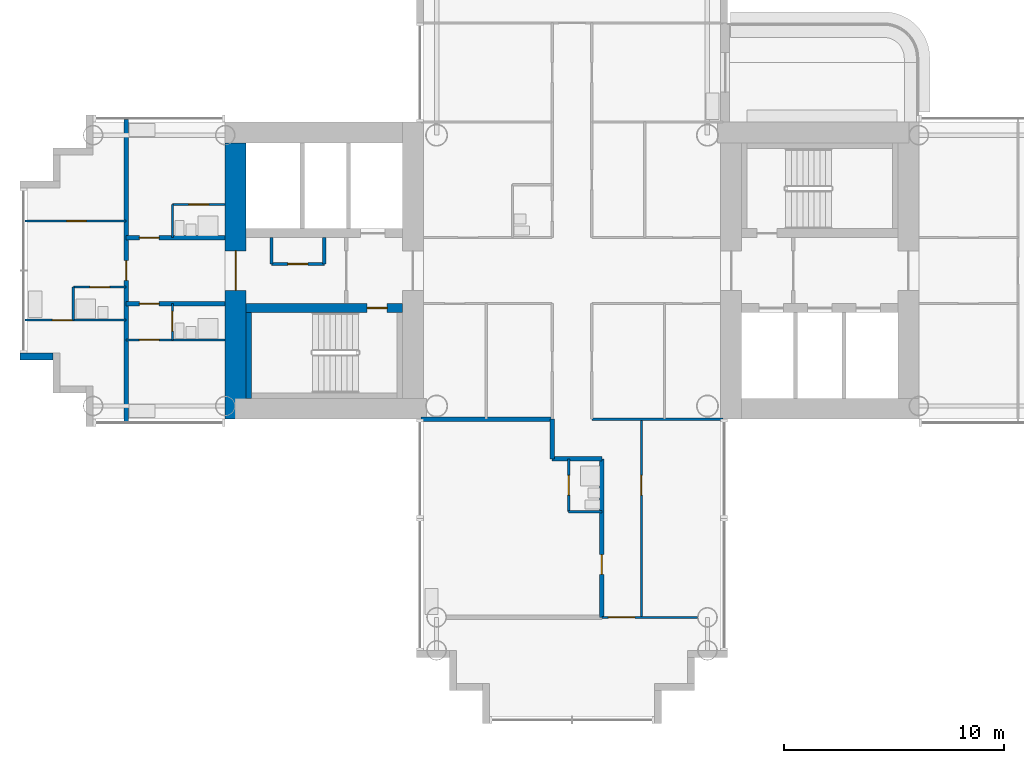
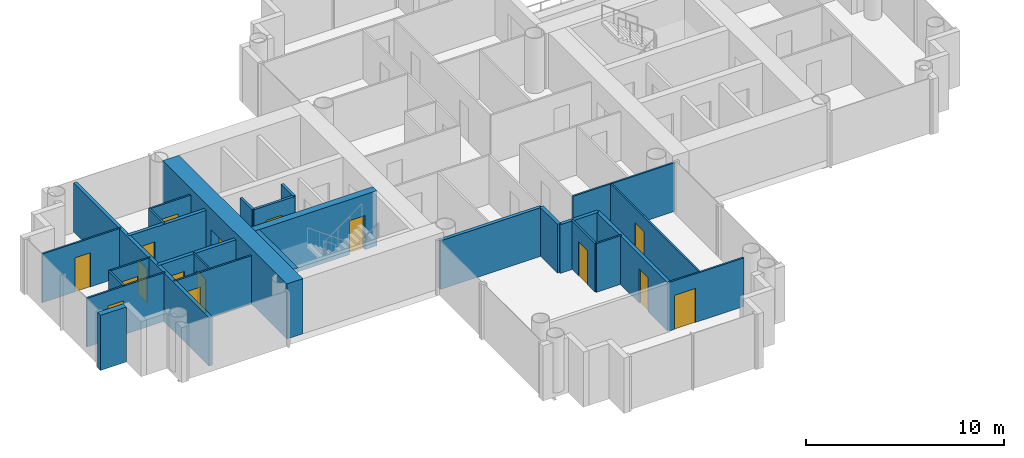
# One storey, part 9 of 21: 27 walls, 16 doors, 16 openings.
"""IFC4 building model written with IfcOpenShell, lengths in metres."""

from ifc_helpers import new_model, si_unit, direction, frame, frame_2d, origin, place, context, subcontext, project, spatial, rectangle, extrude, material, layer, layer_set, type_object, element, fill, save


model = new_model("IFC4")

# Units and contexts
model_context = context("Model", 3, precision=1e-05, world=origin(), true_north=direction((0.0, 1.0)))
body_context = subcontext(model_context, "Body", "Model", "MODEL_VIEW")
ifc_project = project(units=[si_unit("LENGTHUNIT", "METRE"), si_unit("AREAUNIT", "SQUARE_METRE"), si_unit("VOLUMEUNIT", "CUBIC_METRE"), si_unit("PLANEANGLEUNIT", "RADIAN"), si_unit("MASSUNIT", "GRAM", prefix="KILO")], contexts=[model_context])

# Site, building, storey
site_placement = place(None, origin())
site = spatial("IfcSite", under=ifc_project, at=site_placement, CompositionType="ELEMENT")
building_placement = place(site_placement, origin())
building = spatial("IfcBuilding", under=site, at=building_placement, Name="Ipe Terrace Towers", CompositionType="ELEMENT")
storey_placement = place(building_placement, frame((0.0, 0.0, 83.39990234375)))
storey = spatial("IfcBuildingStorey", under=building, at=storey_placement, Name="L22", CompositionType="ELEMENT", Elevation=83.39990234375)

# Walls
ifc_material_1 = material(Name="Concrete C40/50 with buff precast cladding", Category="concrete")
ifc_layer_1 = layer(ifc_material_1, 0.320068359375)
ifc_layer_set_1 = layer_set([ifc_layer_1], Name="BUFF CLADDING WALL 320")
wall_type_1 = type_object("IfcWallType", Name="BUFF CLADDING WALL 320", PredefinedType="STANDARD", material=ifc_layer_set_1)
wall_1_placement = place(storey_placement, frame((-61.070068359375, -3.909912109375, -0.2998046875), z_axis=(0.0, 0.0, 1.0), x_axis=(1.0, 0.0, 0.0)))
element("IfcWall", 1, at=wall_1_placement, inside=storey, type_object=wall_type_1, Name="T1-W-L22-00a wall", PredefinedType="STANDARD", context=body_context, shape_type="SweptSolid", body=[
    extrude(rectangle(XDim=1.5, YDim=0.320068359375, at=frame_2d((0.75, 0.0))), origin(), (0.0, 0.0, 1.0), 3.39990234375),
])
ifc_material_2 = material(Name="Gypsum board partition", Category="plasterboard")
ifc_layer_2 = layer(ifc_material_2, 0.10009765625)
ifc_layer_set_2 = layer_set([ifc_layer_2], Name="Gypsum board partition 100 mm")
wall_type_2 = type_object("IfcWallType", Name="Gypsum board partition 100 mm", PredefinedType="PARTITIONING", material=ifc_layer_set_2)
wall_2_placement = place(storey_placement, frame((-58.64990234375, -2.25, 0.0), z_axis=(0.0, 0.0, 1.0), x_axis=(0.0, 1.0, 0.0)))
element("IfcWall", 2, at=wall_2_placement, inside=storey, type_object=wall_type_2, Name="Gypsum board partition T1 L22 W01", PredefinedType="PARTITIONING", context=body_context, shape_type="SweptSolid", body=[
    extrude(rectangle(XDim=1.5, YDim=0.10009765625, at=frame_2d((0.75, 0.0))), origin(), (0.0, 0.0, 1.0), 3.0),
])

# Wall, opening, door
wall_3_placement = place(storey_placement, frame((-54.14990234375, -3.14990234375, 0.0), z_axis=(0.0, 0.0, 1.0), x_axis=(0.0, 1.0, 0.0)))
wall_3 = element("IfcWall", 3, at=wall_3_placement, inside=storey, type_object=wall_type_2, Name="Gypsum board partition T1 L22 W03", PredefinedType="PARTITIONING", context=body_context, shape_type="SweptSolid", body=[
    extrude(rectangle(XDim=1.64990234375, YDim=0.10009765625, at=frame_2d((0.824951171875, 0.0))), origin(), (0.0, 0.0, 1.0), 3.0),
])
opening_1_placement = place(wall_3_placement, frame((0.39990234375, 0.0, 0.0)))
opening_1 = element("IfcOpeningElement", 4, at=opening_1_placement, cuts=wall_3, Name="Opening T1-Z2B-21", PredefinedType="OPENING", context=body_context, shape_type="SweptSolid", body=[
    extrude(rectangle(XDim=0.89990234375, YDim=2.10009765625, at=frame_2d((0.449951171875, 1.050048828125))), frame((0.0, 0.06005859375, 0.0), z_axis=(0.0, -1.0, 0.0), x_axis=(1.0, 0.0, 0.0)), (0.0, 0.0, 1.0), 0.1201171875),
])
ifc_material_3 = material(Name="Timber door leaf", Category="wood")
door_type_1 = type_object("IfcDoorType", Name="Bathroom door 900 x 2100", OperationType="NOTDEFINED", PredefinedType="DOOR", material=ifc_material_3)
door_1_placement = place(opening_1_placement, origin())
door_1 = element("IfcDoor", 5, at=door_1_placement, inside=storey, type_object=door_type_1, Name="Bathroom door T1-Z2B-21", OperationType="SINGLE_SWING_RIGHT", OverallHeight=2.10009765625, OverallWidth=0.89990234375, PredefinedType="DOOR", context=body_context, shape_type="SweptSolid", body=[
    extrude(rectangle(XDim=0.89990234375, YDim=2.10009765625, at=frame_2d((0.449951171875, 1.050048828125))), frame((0.0, 0.02490234375, 0.0), z_axis=(0.0, -1.0, 0.0), x_axis=(1.0, 0.0, 0.0)), (0.0, 0.0, 1.0), 0.050048828125),
])
fill(opening_1, door_1)

# Wall
wall_4_placement = place(storey_placement, frame((-54.14990234375, 1.5, 0.0), z_axis=(0.0, 0.0, 1.0), x_axis=(0.0, 1.0, 0.0)))
element("IfcWall", 6, at=wall_4_placement, inside=storey, type_object=wall_type_2, Name="Gypsum board partition T1 L22 W04", PredefinedType="PARTITIONING", context=body_context, shape_type="SweptSolid", body=[
    extrude(rectangle(XDim=1.5, YDim=0.10009765625, at=frame_2d((0.75, 0.0))), origin(), (0.0, 0.0, 1.0), 3.0),
])

# Wall, opening, door
wall_5_placement = place(storey_placement, frame((-36.14990234375, -10.949951171875, 0.0), z_axis=(0.0, 0.0, 1.0), x_axis=(0.0, 1.0, 0.0)))
wall_5 = element("IfcWall", 7, at=wall_5_placement, inside=storey, type_object=wall_type_2, Name="Gypsum board partition T1 L22 W10", PredefinedType="PARTITIONING", context=body_context, shape_type="SweptSolid", body=[
    extrude(rectangle(XDim=2.39990234375, YDim=0.10009765625, at=frame_2d((1.199951171875, 0.0))), origin(), (0.0, 0.0, 1.0), 3.0),
])
opening_2_placement = place(wall_5_placement, frame((0.75, 0.0, 0.0)))
opening_2 = element("IfcOpeningElement", 8, at=opening_2_placement, cuts=wall_5, Name="Opening T1-Z2B-14", PredefinedType="OPENING", context=body_context, shape_type="SweptSolid", body=[
    extrude(rectangle(XDim=0.89990234375, YDim=2.10009765625, at=frame_2d((0.449951171875, 1.050048828125))), frame((0.0, 0.06005859375, 0.0), z_axis=(0.0, -1.0, 0.0), x_axis=(1.0, 0.0, 0.0)), (0.0, 0.0, 1.0), 0.1201171875),
])
door_2_placement = place(opening_2_placement, origin())
door_2 = element("IfcDoor", 9, at=door_2_placement, inside=storey, type_object=door_type_1, Name="Bathroom door T1-Z2B-14", OperationType="SINGLE_SWING_RIGHT", OverallHeight=2.10009765625, OverallWidth=0.89990234375, PredefinedType="DOOR", context=body_context, shape_type="SweptSolid", body=[
    extrude(rectangle(XDim=0.89990234375, YDim=2.10009765625, at=frame_2d((0.449951171875, 1.050048828125))), frame((0.0, 0.02490234375, 0.0), z_axis=(0.0, -1.0, 0.0), x_axis=(1.0, 0.0, 0.0)), (0.0, 0.0, 1.0), 0.050048828125),
])
fill(opening_2, door_2)

wall_6_placement = place(storey_placement, frame((-32.85009765625, -15.75, 0.0), z_axis=(0.0, 0.0, 1.0), x_axis=(0.0, 1.0, 0.0)))
wall_6 = element("IfcWall", 10, at=wall_6_placement, inside=storey, type_object=wall_type_2, Name="Gypsum board partition T1 L22 W14", PredefinedType="PARTITIONING", context=body_context, shape_type="SweptSolid", body=[
    extrude(rectangle(XDim=9.0, YDim=0.10009765625, at=frame_2d((4.5, 0.0))), origin(), (0.0, 0.0, 1.0), 3.0),
])
opening_3_placement = place(wall_6_placement, frame((5.550048828125, 0.0, 0.0)))
opening_3 = element("IfcOpeningElement", 11, at=opening_3_placement, cuts=wall_6, Name="Opening T1-Z2B-12", PredefinedType="OPENING", context=body_context, shape_type="SweptSolid", body=[
    extrude(rectangle(XDim=0.89990234375, YDim=2.10009765625, at=frame_2d((0.449951171875, 1.050048828125))), frame((0.0, 0.06005859375, 0.0), z_axis=(0.0, -1.0, 0.0), x_axis=(1.0, 0.0, 0.0)), (0.0, 0.0, 1.0), 0.1201171875),
])
ifc_material_4 = material(Name="Timber door leaf", Category="wood")
door_type_2 = type_object("IfcDoorType", Name="Lounge door 900 x 2100", OperationType="NOTDEFINED", PredefinedType="DOOR", material=ifc_material_4)
door_3_placement = place(opening_3_placement, origin())
door_3 = element("IfcDoor", 12, at=door_3_placement, inside=storey, type_object=door_type_2, Name="Lounge door T1-Z2B-12", OperationType="SINGLE_SWING_RIGHT", OverallHeight=2.10009765625, OverallWidth=0.89990234375, PredefinedType="DOOR", context=body_context, shape_type="SweptSolid", body=[
    extrude(rectangle(XDim=0.89990234375, YDim=2.10009765625, at=frame_2d((0.449951171875, 1.050048828125))), frame((0.0, 0.02490234375, 0.0), z_axis=(0.0, -1.0, 0.0), x_axis=(1.0, 0.0, 0.0)), (0.0, 0.0, 1.0), 0.050048828125),
])
fill(opening_3, door_3)

wall_7_placement = place(storey_placement, frame((-34.64990234375, -15.75, 0.0), z_axis=(0.0, 0.0, 1.0), x_axis=(1.0, 0.0, 0.0)))
wall_7 = element("IfcWall", 13, at=wall_7_placement, inside=storey, type_object=wall_type_2, Name="Gypsum board partition T1 L22 W18", PredefinedType="PARTITIONING", context=body_context, shape_type="SweptSolid", body=[
    extrude(rectangle(XDim=4.349853515625, YDim=0.10009765625, at=frame_2d((2.1748046875, 0.0))), origin(), (0.0, 0.0, 1.0), 3.0),
])
opening_4_placement = place(wall_7_placement, frame((0.300048828125, 0.0, 0.0)))
opening_4 = element("IfcOpeningElement", 14, at=opening_4_placement, cuts=wall_7, Name="Opening T1-Z2B-15", PredefinedType="OPENING", context=body_context, shape_type="SweptSolid", body=[
    extrude(rectangle(XDim=1.199951171875, YDim=2.10009765625, at=frame_2d((0.60009765625, 1.050048828125))), frame((0.0, 0.06005859375, 0.0), z_axis=(0.0, -1.0, 0.0), x_axis=(1.0, 0.0, 0.0)), (0.0, 0.0, 1.0), 0.1201171875),
])
ifc_material_5 = material(Name="Timber door leaf", Category="wood")
door_type_3 = type_object("IfcDoorType", Name="Lounge door 1200 x 2100", OperationType="NOTDEFINED", PredefinedType="DOOR", material=ifc_material_5)
door_4_placement = place(opening_4_placement, origin())
door_4 = element("IfcDoor", 15, at=door_4_placement, inside=storey, type_object=door_type_3, Name="Lounge door T1-Z2B-15", OperationType="SINGLE_SWING_LEFT", OverallHeight=2.10009765625, OverallWidth=1.199951171875, PredefinedType="DOOR", context=body_context, shape_type="SweptSolid", body=[
    extrude(rectangle(XDim=1.199951171875, YDim=2.10009765625, at=frame_2d((0.60009765625, 1.050048828125))), frame((0.0, 0.02490234375, 0.0), z_axis=(0.0, -1.0, 0.0), x_axis=(1.0, 0.0, 0.0)), (0.0, 0.0, 1.0), 0.050048828125),
])
fill(opening_4, door_4)

# Walls
wall_8_placement = place(storey_placement, frame((-36.14990234375, -10.949951171875, 0.0), z_axis=(0.0, 0.0, 1.0), x_axis=(1.0, 0.0, 0.0)))
element("IfcWall", 16, at=wall_8_placement, inside=storey, type_object=wall_type_2, Name="Gypsum board partition T1 L22 W20", PredefinedType="PARTITIONING", context=body_context, shape_type="SweptSolid", body=[
    extrude(rectangle(XDim=1.5, YDim=0.10009765625, at=frame_2d((0.75, 0.0))), origin(), (0.0, 0.0, 1.0), 3.0),
])
wall_9_placement = place(storey_placement, frame((-35.10009765625, -6.75, 0.0), z_axis=(0.0, 0.0, 1.0), x_axis=(1.0, 0.0, 0.0)))
element("IfcWall", 17, at=wall_9_placement, inside=storey, type_object=wall_type_2, Name="Gypsum board partition T1 L22 W22", PredefinedType="PARTITIONING", context=body_context, shape_type="SweptSolid", body=[
    extrude(rectangle(XDim=5.9501953125, YDim=0.10009765625, at=frame_2d((2.97509765625, 0.0))), origin(), (0.0, 0.0, 1.0), 3.0),
])

# Wall, opening, door
wall_10_placement = place(storey_placement, frame((-56.25, -3.14990234375, 0.0), z_axis=(0.0, 0.0, 1.0), x_axis=(1.0, 0.0, 0.0)))
wall_10 = element("IfcWall", 18, at=wall_10_placement, inside=storey, type_object=wall_type_2, Name="Gypsum board partition T1 L22 W24", PredefinedType="PARTITIONING", context=body_context, shape_type="SweptSolid", body=[
    extrude(rectangle(XDim=4.5, YDim=0.10009765625, at=frame_2d((2.25, 0.0))), origin(), (0.0, 0.0, 1.0), 3.0),
])
opening_5_placement = place(wall_10_placement, frame((0.60009765625, 0.0, 0.0)))
opening_5 = element("IfcOpeningElement", 19, at=opening_5_placement, cuts=wall_10, Name="Opening T1-Z2B-20", PredefinedType="OPENING", context=body_context, shape_type="SweptSolid", body=[
    extrude(rectangle(XDim=0.89990234375, YDim=2.10009765625, at=frame_2d((0.449951171875, 1.050048828125))), frame((0.0, 0.06005859375, 0.0), z_axis=(0.0, -1.0, 0.0), x_axis=(1.0, 0.0, 0.0)), (0.0, 0.0, 1.0), 0.1201171875),
])
ifc_material_6 = material(Name="Timber door leaf", Category="wood")
door_type_4 = type_object("IfcDoorType", Name="Bedroom door 900 x 2100", OperationType="NOTDEFINED", PredefinedType="DOOR", material=ifc_material_6)
door_5_placement = place(opening_5_placement, origin())
door_5 = element("IfcDoor", 20, at=door_5_placement, inside=storey, type_object=door_type_4, Name="Bedroom door T1-Z2B-20", OperationType="SINGLE_SWING_LEFT", OverallHeight=2.10009765625, OverallWidth=0.89990234375, PredefinedType="DOOR", context=body_context, shape_type="SweptSolid", body=[
    extrude(rectangle(XDim=0.89990234375, YDim=2.10009765625, at=frame_2d((0.449951171875, 1.050048828125))), frame((0.0, 0.02490234375, 0.0), z_axis=(0.0, -1.0, 0.0), x_axis=(1.0, 0.0, 0.0)), (0.0, 0.0, 1.0), 0.050048828125),
])
fill(opening_5, door_5)

wall_11_placement = place(storey_placement, frame((-60.85009765625, -2.25, 0.0), z_axis=(0.0, 0.0, 1.0), x_axis=(1.0, 0.0, 0.0)))
wall_11 = element("IfcWall", 21, at=wall_11_placement, inside=storey, type_object=wall_type_2, Name="Gypsum board partition T1 L22 W25", PredefinedType="PARTITIONING", context=body_context, shape_type="SweptSolid", body=[
    extrude(rectangle(XDim=4.60009765625, YDim=0.10009765625, at=frame_2d((2.300048828125, 0.0))), origin(), (0.0, 0.0, 1.0), 3.0),
])
opening_6_placement = place(wall_11_placement, frame((1.25, 0.0, 0.0)))
opening_6 = element("IfcOpeningElement", 22, at=opening_6_placement, cuts=wall_11, Name="Opening T1-Z2B-26", PredefinedType="OPENING", context=body_context, shape_type="SweptSolid", body=[
    extrude(rectangle(XDim=0.89990234375, YDim=2.10009765625, at=frame_2d((0.449951171875, 1.050048828125))), frame((0.0, 0.06005859375, 0.0), z_axis=(0.0, -1.0, 0.0), x_axis=(1.0, 0.0, 0.0)), (0.0, 0.0, 1.0), 0.1201171875),
])
door_6_placement = place(opening_6_placement, origin())
door_6 = element("IfcDoor", 23, at=door_6_placement, inside=storey, type_object=door_type_2, Name="Lounge door T1-Z2B-26", OperationType="SINGLE_SWING_LEFT", OverallHeight=2.10009765625, OverallWidth=0.89990234375, PredefinedType="DOOR", context=body_context, shape_type="SweptSolid", body=[
    extrude(rectangle(XDim=0.89990234375, YDim=2.10009765625, at=frame_2d((0.449951171875, 1.050048828125))), frame((0.0, 0.02490234375, 0.0), z_axis=(0.0, -1.0, 0.0), x_axis=(1.0, 0.0, 0.0)), (0.0, 0.0, 1.0), 0.050048828125),
])
fill(opening_6, door_6)

wall_12_placement = place(storey_placement, frame((-58.64990234375, -0.75, 0.0), z_axis=(0.0, 0.0, 1.0), x_axis=(1.0, 0.0, 0.0)))
wall_12 = element("IfcWall", 24, at=wall_12_placement, inside=storey, type_object=wall_type_2, Name="Gypsum board partition T1 L22 W30", PredefinedType="PARTITIONING", context=body_context, shape_type="SweptSolid", body=[
    extrude(rectangle(XDim=2.39990234375, YDim=0.10009765625, at=frame_2d((1.199951171875, 0.0))), origin(), (0.0, 0.0, 1.0), 3.0),
])
opening_7_placement = place(wall_12_placement, frame((0.75, 0.0, 0.0)))
opening_7 = element("IfcOpeningElement", 25, at=opening_7_placement, cuts=wall_12, Name="Opening T1-Z2B-24", PredefinedType="OPENING", context=body_context, shape_type="SweptSolid", body=[
    extrude(rectangle(XDim=0.89990234375, YDim=2.10009765625, at=frame_2d((0.449951171875, 1.050048828125))), frame((0.0, 0.06005859375, 0.0), z_axis=(0.0, -1.0, 0.0), x_axis=(1.0, 0.0, 0.0)), (0.0, 0.0, 1.0), 0.1201171875),
])
door_7_placement = place(opening_7_placement, origin())
door_7 = element("IfcDoor", 26, at=door_7_placement, inside=storey, type_object=door_type_1, Name="Bathroom door T1-Z2B-24", OperationType="SINGLE_SWING_RIGHT", OverallHeight=2.10009765625, OverallWidth=0.89990234375, PredefinedType="DOOR", context=body_context, shape_type="SweptSolid", body=[
    extrude(rectangle(XDim=0.89990234375, YDim=2.10009765625, at=frame_2d((0.449951171875, 1.050048828125))), frame((0.0, 0.02490234375, 0.0), z_axis=(0.0, -1.0, 0.0), x_axis=(1.0, 0.0, 0.0)), (0.0, 0.0, 1.0), 0.050048828125),
])
fill(opening_7, door_7)

wall_13_placement = place(storey_placement, frame((-60.85009765625, 2.25, 0.0), z_axis=(0.0, 0.0, 1.0), x_axis=(1.0, 0.0, 0.0)))
wall_13 = element("IfcWall", 27, at=wall_13_placement, inside=storey, type_object=wall_type_2, Name="Gypsum board partition T1 L22 W35", PredefinedType="PARTITIONING", context=body_context, shape_type="SweptSolid", body=[
    extrude(rectangle(XDim=4.60009765625, YDim=0.10009765625, at=frame_2d((2.300048828125, 0.0))), origin(), (0.0, 0.0, 1.0), 3.0),
])
opening_8_placement = place(wall_13_placement, frame((1.89990234375, 0.0, 0.0)))
opening_8 = element("IfcOpeningElement", 28, at=opening_8_placement, cuts=wall_13, Name="Opening T1-Z2B-27", PredefinedType="OPENING", context=body_context, shape_type="SweptSolid", body=[
    extrude(rectangle(XDim=0.89990234375, YDim=2.10009765625, at=frame_2d((0.449951171875, 1.050048828125))), frame((0.0, 0.06005859375, 0.0), z_axis=(0.0, -1.0, 0.0), x_axis=(1.0, 0.0, 0.0)), (0.0, 0.0, 1.0), 0.1201171875),
])
door_8_placement = place(opening_8_placement, origin())
door_8 = element("IfcDoor", 29, at=door_8_placement, inside=storey, type_object=door_type_2, Name="Lounge door T1-Z2B-27", OperationType="SINGLE_SWING_LEFT", OverallHeight=2.10009765625, OverallWidth=0.89990234375, PredefinedType="DOOR", context=body_context, shape_type="SweptSolid", body=[
    extrude(rectangle(XDim=0.89990234375, YDim=2.10009765625, at=frame_2d((0.449951171875, 1.050048828125))), frame((0.0, 0.02490234375, 0.0), z_axis=(0.0, -1.0, 0.0), x_axis=(1.0, 0.0, 0.0)), (0.0, 0.0, 1.0), 0.050048828125),
])
fill(opening_8, door_8)

wall_14_placement = place(storey_placement, frame((-54.14990234375, 3.0, 0.0), z_axis=(0.0, 0.0, 1.0), x_axis=(1.0, 0.0, 0.0)))
wall_14 = element("IfcWall", 30, at=wall_14_placement, inside=storey, type_object=wall_type_2, Name="Gypsum board partition T1 L22 W36", PredefinedType="PARTITIONING", context=body_context, shape_type="SweptSolid", body=[
    extrude(rectangle(XDim=2.39990234375, YDim=0.10009765625, at=frame_2d((1.199951171875, 0.0))), origin(), (0.0, 0.0, 1.0), 3.0),
])
opening_9_placement = place(wall_14_placement, frame((0.75, 0.0, 0.0)))
opening_9 = element("IfcOpeningElement", 31, at=opening_9_placement, cuts=wall_14, Name="Opening T1-Z2B-23", PredefinedType="OPENING", context=body_context, shape_type="SweptSolid", body=[
    extrude(rectangle(XDim=0.89990234375, YDim=2.10009765625, at=frame_2d((0.449951171875, 1.050048828125))), frame((0.0, 0.06005859375, 0.0), z_axis=(0.0, -1.0, 0.0), x_axis=(1.0, 0.0, 0.0)), (0.0, 0.0, 1.0), 0.1201171875),
])
door_9_placement = place(opening_9_placement, origin())
door_9 = element("IfcDoor", 32, at=door_9_placement, inside=storey, type_object=door_type_1, Name="Bathroom door T1-Z2B-23", OperationType="SINGLE_SWING_RIGHT", OverallHeight=2.10009765625, OverallWidth=0.89990234375, PredefinedType="DOOR", context=body_context, shape_type="SweptSolid", body=[
    extrude(rectangle(XDim=0.89990234375, YDim=2.10009765625, at=frame_2d((0.449951171875, 1.050048828125))), frame((0.0, 0.02490234375, 0.0), z_axis=(0.0, -1.0, 0.0), x_axis=(1.0, 0.0, 0.0)), (0.0, 0.0, 1.0), 0.050048828125),
])
fill(opening_9, door_9)

ifc_material_7 = material(Name="Gypsum board partition", Category="plasterboard")
ifc_layer_3 = layer(ifc_material_7, 0.14990234375)
ifc_layer_set_3 = layer_set([ifc_layer_3], Name="Gypsum board partition 150 mm")
wall_type_3 = type_object("IfcWallType", Name="Gypsum board partition 150 mm", PredefinedType="PARTITIONING", material=ifc_layer_set_3)
wall_15_placement = place(storey_placement, frame((-47.25, 0.300048828125, 0.0), z_axis=(0.0, 0.0, 1.0), x_axis=(-1.0, 0.0, 0.0)))
wall_15 = element("IfcWall", 33, at=wall_15_placement, inside=storey, type_object=wall_type_3, Name="Gypsum board partition T1 L22 t1c2-cup-s-f", PredefinedType="PARTITIONING", context=body_context, shape_type="SweptSolid", body=[
    extrude(rectangle(XDim=2.39990234375, YDim=0.14990234375, at=frame_2d((1.199951171875, 0.0))), origin(), (0.0, 0.0, 1.0), 3.0),
])
opening_10_placement = place(wall_15_placement, frame((0.75, 0.0, 0.0)))
opening_10 = element("IfcOpeningElement", 34, at=opening_10_placement, cuts=wall_15, Name="Opening T1C2-SC", PredefinedType="OPENING", context=body_context, shape_type="SweptSolid", body=[
    extrude(rectangle(XDim=0.89990234375, YDim=2.10009765625, at=frame_2d((0.449951171875, 1.050048828125))), frame((0.0, 0.0849609375, 0.0), z_axis=(0.0, -1.0, 0.0), x_axis=(1.0, 0.0, 0.0)), (0.0, 0.0, 1.0), 0.169921875),
])
ifc_material_8 = material(Name="Fire-rated timber door leaf", Category="wood")
door_type_5 = type_object("IfcDoorType", Name="Service door 900 x 2100 FD30S", OperationType="NOTDEFINED", PredefinedType="DOOR", material=ifc_material_8)
door_10_placement = place(opening_10_placement, origin())
door_10 = element("IfcDoor", 35, at=door_10_placement, inside=storey, type_object=door_type_5, Name="Service door T1C2-SC", OperationType="SINGLE_SWING_LEFT", OverallHeight=2.10009765625, OverallWidth=0.89990234375, PredefinedType="DOOR", context=body_context, shape_type="SweptSolid", body=[
    extrude(rectangle(XDim=0.89990234375, YDim=2.10009765625, at=frame_2d((0.449951171875, 1.050048828125))), frame((0.0, 0.02490234375, 0.0), z_axis=(0.0, -1.0, 0.0), x_axis=(1.0, 0.0, 0.0)), (0.0, 0.0, 1.0), 0.050048828125),
])
fill(opening_10, door_10)

# Walls
for number, where, z_axis, x_axis, name in (
    (36, (-47.25, 0.300048828125, 0.0), (0.0, 0.0, 1.0), (0.0, 1.0, 0.0), "Gypsum board partition T1 L22 t1c2-cup-s-a"),
    (37, (-49.64990234375, 0.300048828125, 0.0), (0.0, 0.0, 1.0), (0.0, 1.0, 0.0), "Gypsum board partition T1 L22 t1c2-cup-s-b"),
):
    element("IfcWall", number, at=place(storey_placement, frame(where, z_axis=z_axis, x_axis=x_axis)), inside=storey, type_object=wall_type_3, Name=name, PredefinedType="PARTITIONING", context=body_context, shape_type="SweptSolid", body=[
        extrude(rectangle(XDim=1.199951171875, YDim=0.14990234375, at=frame_2d((0.60009765625, 0.0))), origin(), (0.0, 0.0, 1.0), 3.0),
    ])

# Wall, opening, door
ifc_material_9 = material(Name="Gypsum board party wall", Category="plasterboard")
ifc_layer_4 = layer(ifc_material_9, 0.199951171875)
ifc_layer_set_4 = layer_set([ifc_layer_4], Name="Gypsum board party wall 200 mm")
wall_type_4 = type_object("IfcWallType", Name="Gypsum board party wall 200 mm", PredefinedType="SOLIDWALL", material=ifc_layer_set_4)
wall_16_placement = place(storey_placement, frame((-56.25, -6.85009765625, 0.0), z_axis=(0.0, 0.0, 1.0), x_axis=(0.0, 1.0, 0.0)))
wall_16 = element("IfcWall", 38, at=wall_16_placement, inside=storey, type_object=wall_type_4, Name="Gypsum board party wall T1 L22 W02", PredefinedType="SOLIDWALL", context=body_context, shape_type="SweptSolid", body=[
    extrude(rectangle(XDim=13.7001953125, YDim=0.199951171875, at=frame_2d((6.85009765625, 0.0))), origin(), (0.0, 0.0, 1.0), 3.0),
])
opening_11_placement = place(wall_16_placement, frame((6.39990234375, 0.0, 0.0)))
opening_11 = element("IfcOpeningElement", 39, at=opening_11_placement, cuts=wall_16, Name="Opening T1-Z2B-25", PredefinedType="OPENING", context=body_context, shape_type="SweptSolid", body=[
    extrude(rectangle(XDim=0.89990234375, YDim=2.10009765625, at=frame_2d((0.449951171875, 1.050048828125))), frame((0.0, 0.10986328125, 0.0), z_axis=(0.0, -1.0, 0.0), x_axis=(1.0, 0.0, 0.0)), (0.0, 0.0, 1.0), 0.219970703125),
])
ifc_material_10 = material(Name="Fire-rated timber door leaf", Category="wood")
door_type_6 = type_object("IfcDoorType", Name="Flat entrance door 900 x 2100 FD30S", OperationType="NOTDEFINED", PredefinedType="DOOR", material=ifc_material_10)
door_11_placement = place(opening_11_placement, origin())
door_11 = element("IfcDoor", 40, at=door_11_placement, inside=storey, type_object=door_type_6, Name="Flat entrance door T1-Z2B-25", OperationType="SINGLE_SWING_LEFT", OverallHeight=2.10009765625, OverallWidth=0.89990234375, PredefinedType="DOOR", context=body_context, shape_type="SweptSolid", body=[
    extrude(rectangle(XDim=0.89990234375, YDim=2.10009765625, at=frame_2d((0.449951171875, 1.050048828125))), frame((0.0, 0.02490234375, 0.0), z_axis=(0.0, -1.0, 0.0), x_axis=(1.0, 0.0, 0.0)), (0.0, 0.0, 1.0), 0.050048828125),
])
fill(opening_11, door_11)

# Wall
wall_17_placement = place(storey_placement, frame((-36.89990234375, -8.550048828125, 0.0), z_axis=(0.0, 0.0, 1.0), x_axis=(0.0, 1.0, 0.0)))
element("IfcWall", 41, at=wall_17_placement, inside=storey, type_object=wall_type_4, Name="Gypsum board party wall T1 L22 W09", PredefinedType="SOLIDWALL", context=body_context, shape_type="SweptSolid", body=[
    extrude(rectangle(XDim=1.800048828125, YDim=0.199951171875, at=frame_2d((0.89990234375, 0.0))), origin(), (0.0, 0.0, 1.0), 3.0),
])

# Wall, opening, door
wall_18_placement = place(storey_placement, frame((-34.64990234375, -15.75, 0.0), z_axis=(0.0, 0.0, 1.0), x_axis=(0.0, 1.0, 0.0)))
wall_18 = element("IfcWall", 42, at=wall_18_placement, inside=storey, type_object=wall_type_4, Name="Gypsum board party wall T1 L22 W13", PredefinedType="SOLIDWALL", context=body_context, shape_type="SweptSolid", body=[
    extrude(rectangle(XDim=7.199951171875, YDim=0.199951171875, at=frame_2d((3.60009765625, 0.0))), origin(), (0.0, 0.0, 1.0), 3.0),
])
opening_12_placement = place(wall_18_placement, frame((1.949951171875, 0.0, 0.0)))
opening_12 = element("IfcOpeningElement", 43, at=opening_12_placement, cuts=wall_18, Name="Opening T1-Z2B-13", PredefinedType="OPENING", context=body_context, shape_type="SweptSolid", body=[
    extrude(rectangle(XDim=0.89990234375, YDim=2.10009765625, at=frame_2d((0.449951171875, 1.050048828125))), frame((0.0, 0.10986328125, 0.0), z_axis=(0.0, -1.0, 0.0), x_axis=(1.0, 0.0, 0.0)), (0.0, 0.0, 1.0), 0.219970703125),
])
door_12_placement = place(opening_12_placement, origin())
door_12 = element("IfcDoor", 44, at=door_12_placement, inside=storey, type_object=door_type_6, Name="Flat entrance door T1-Z2B-13", OperationType="SINGLE_SWING_RIGHT", OverallHeight=2.10009765625, OverallWidth=0.89990234375, PredefinedType="DOOR", context=body_context, shape_type="SweptSolid", body=[
    extrude(rectangle(XDim=0.89990234375, YDim=2.10009765625, at=frame_2d((0.449951171875, 1.050048828125))), frame((0.0, 0.02490234375, 0.0), z_axis=(0.0, -1.0, 0.0), x_axis=(1.0, 0.0, 0.0)), (0.0, 0.0, 1.0), 0.050048828125),
])
fill(opening_12, door_12)

# Walls
wall_19_placement = place(storey_placement, frame((-36.89990234375, -8.550048828125, 0.0), z_axis=(0.0, 0.0, 1.0), x_axis=(1.0, 0.0, 0.0)))
element("IfcWall", 45, at=wall_19_placement, inside=storey, type_object=wall_type_4, Name="Gypsum board party wall T1 L22 W21", PredefinedType="SOLIDWALL", context=body_context, shape_type="SweptSolid", body=[
    extrude(rectangle(XDim=2.25, YDim=0.199951171875, at=frame_2d((1.125, 0.0))), origin(), (0.0, 0.0, 1.0), 3.0),
])
wall_20_placement = place(storey_placement, frame((-42.85009765625, -6.75, 0.0), z_axis=(0.0, 0.0, 1.0), x_axis=(1.0, 0.0, 0.0)))
element("IfcWall", 46, at=wall_20_placement, inside=storey, type_object=wall_type_4, Name="Gypsum board party wall T1 L22 W23", PredefinedType="SOLIDWALL", context=body_context, shape_type="SweptSolid", body=[
    extrude(rectangle(XDim=5.9501953125, YDim=0.199951171875, at=frame_2d((2.97509765625, 0.0))), origin(), (0.0, 0.0, 1.0), 3.0),
])

# Wall, opening, door
wall_21_placement = place(storey_placement, frame((-56.25, -1.5, 0.0), z_axis=(0.0, 0.0, 1.0), x_axis=(1.0, 0.0, 0.0)))
wall_21 = element("IfcWall", 47, at=wall_21_placement, inside=storey, type_object=wall_type_4, Name="Gypsum board party wall T1 L22 W29", PredefinedType="SOLIDWALL", context=body_context, shape_type="SweptSolid", body=[
    extrude(rectangle(XDim=4.5, YDim=0.199951171875, at=frame_2d((2.25, 0.0))), origin(), (0.0, 0.0, 1.0), 3.0),
])
opening_13_placement = place(wall_21_placement, frame((0.60009765625, 0.0, 0.0)))
opening_13 = element("IfcOpeningElement", 48, at=opening_13_placement, cuts=wall_21, Name="Opening T1-Z2B-19", PredefinedType="OPENING", context=body_context, shape_type="SweptSolid", body=[
    extrude(rectangle(XDim=0.89990234375, YDim=2.10009765625, at=frame_2d((0.449951171875, 1.050048828125))), frame((0.0, 0.10986328125, 0.0), z_axis=(0.0, -1.0, 0.0), x_axis=(1.0, 0.0, 0.0)), (0.0, 0.0, 1.0), 0.219970703125),
])
door_13_placement = place(opening_13_placement, origin())
door_13 = element("IfcDoor", 49, at=door_13_placement, inside=storey, type_object=door_type_6, Name="Flat entrance door T1-Z2B-19", OperationType="SINGLE_SWING_LEFT", OverallHeight=2.10009765625, OverallWidth=0.89990234375, PredefinedType="DOOR", context=body_context, shape_type="SweptSolid", body=[
    extrude(rectangle(XDim=0.89990234375, YDim=2.10009765625, at=frame_2d((0.449951171875, 1.050048828125))), frame((0.0, 0.02490234375, 0.0), z_axis=(0.0, -1.0, 0.0), x_axis=(1.0, 0.0, 0.0)), (0.0, 0.0, 1.0), 0.050048828125),
])
fill(opening_13, door_13)

wall_22_placement = place(storey_placement, frame((-56.25, 1.5, 0.0), z_axis=(0.0, 0.0, 1.0), x_axis=(1.0, 0.0, 0.0)))
wall_22 = element("IfcWall", 50, at=wall_22_placement, inside=storey, type_object=wall_type_4, Name="Gypsum board party wall T1 L22 W34", PredefinedType="SOLIDWALL", context=body_context, shape_type="SweptSolid", body=[
    extrude(rectangle(XDim=4.5, YDim=0.199951171875, at=frame_2d((2.25, 0.0))), origin(), (0.0, 0.0, 1.0), 3.0),
])
opening_14_placement = place(wall_22_placement, frame((0.60009765625, 0.0, 0.0)))
opening_14 = element("IfcOpeningElement", 51, at=opening_14_placement, cuts=wall_22, Name="Opening T1-Z2B-22", PredefinedType="OPENING", context=body_context, shape_type="SweptSolid", body=[
    extrude(rectangle(XDim=0.89990234375, YDim=2.10009765625, at=frame_2d((0.449951171875, 1.050048828125))), frame((0.0, 0.10986328125, 0.0), z_axis=(0.0, -1.0, 0.0), x_axis=(1.0, 0.0, 0.0)), (0.0, 0.0, 1.0), 0.219970703125),
])
door_14_placement = place(opening_14_placement, origin())
door_14 = element("IfcDoor", 52, at=door_14_placement, inside=storey, type_object=door_type_6, Name="Flat entrance door T1-Z2B-22", OperationType="SINGLE_SWING_RIGHT", OverallHeight=2.10009765625, OverallWidth=0.89990234375, PredefinedType="DOOR", context=body_context, shape_type="SweptSolid", body=[
    extrude(rectangle(XDim=0.89990234375, YDim=2.10009765625, at=frame_2d((0.449951171875, 1.050048828125))), frame((0.0, 0.02490234375, 0.0), z_axis=(0.0, -1.0, 0.0), x_axis=(1.0, 0.0, 0.0)), (0.0, 0.0, 1.0), 0.050048828125),
])
fill(opening_14, door_14)

# Wall
ifc_material_11 = material(Name="Concrete C50/60", Category="concrete")
ifc_layer_5 = layer(ifc_material_11, 0.25)
ifc_layer_set_5 = layer_set([ifc_layer_5], Name="RW250 CORE INFILL WALL 250 C50-60")
wall_type_5 = type_object("IfcWallType", Name="RW250 CORE INFILL WALL 250 C50-60", PredefinedType="SHEAR", material=ifc_layer_set_5)
wall_23_placement = place(storey_placement, frame((-50.675048828125, -1.89990234375, 0.0), z_axis=(0.0, 0.0, 1.0), x_axis=(0.0, -1.0, 0.0)))
element("IfcWall", 53, at=wall_23_placement, inside=storey, type_object=wall_type_5, Name="Core infill wall T1-C2-far", PredefinedType="SHEAR", context=body_context, shape_type="SweptSolid", body=[
    extrude(rectangle(XDim=3.900146484375, YDim=0.25, at=frame_2d((1.9501953125, 0.0))), origin(), (0.0, 0.0, 1.0), 3.400146484375),
])

# Wall, opening, door
ifc_material_12 = material(Name="Concrete C50/60", Category="concrete")
ifc_layer_6 = layer(ifc_material_12, 0.39990234375)
ifc_layer_set_6 = layer_set([ifc_layer_6], Name="RW400 CORE SPINE WALL 400 C50-60")
wall_type_6 = type_object("IfcWallType", Name="RW400 CORE SPINE WALL 400 C50-60", PredefinedType="SHEAR", material=ifc_layer_set_6)
wall_24_placement = place(storey_placement, frame((-50.800048828125, -1.699951171875, 0.0), z_axis=(0.0, 0.0, 1.0), x_axis=(1.0, 0.0, 0.0)))
wall_24 = element("IfcWall", 54, at=wall_24_placement, inside=storey, type_object=wall_type_6, Name="Core spine wall T1-C2-Z2-SW1", PredefinedType="SHEAR", context=body_context, shape_type="SweptSolid", body=[
    extrude(rectangle(XDim=7.10009765625, YDim=0.39990234375, at=frame_2d((3.550048828125, 0.0))), origin(), (0.0, 0.0, 1.0), 3.400146484375),
])
opening_15_placement = place(wall_24_placement, frame((5.5, 0.0, 0.0)))
opening_15 = element("IfcOpeningElement", 55, at=opening_15_placement, cuts=wall_24, Name="Opening T1C2-SD", PredefinedType="OPENING", context=body_context, shape_type="SweptSolid", body=[
    extrude(rectangle(XDim=0.89990234375, YDim=2.10009765625, at=frame_2d((0.449951171875, 1.050048828125))), frame((0.0, 0.2099609375, 0.0), z_axis=(0.0, -1.0, 0.0), x_axis=(1.0, 0.0, 0.0)), (0.0, 0.0, 1.0), 0.419921875),
])
ifc_material_13 = material(Name="Fire-rated timber door leaf", Category="wood")
door_type_7 = type_object("IfcDoorType", Name="Stair door 900 x 2100 FD60", OperationType="NOTDEFINED", PredefinedType="DOOR", material=ifc_material_13)
door_15_placement = place(opening_15_placement, origin())
door_15 = element("IfcDoor", 56, at=door_15_placement, inside=storey, type_object=door_type_7, Name="Stair door T1C2-SD", OperationType="SINGLE_SWING_RIGHT", OverallHeight=2.10009765625, OverallWidth=0.89990234375, PredefinedType="DOOR", context=body_context, shape_type="SweptSolid", body=[
    extrude(rectangle(XDim=0.89990234375, YDim=2.10009765625, at=frame_2d((0.449951171875, 1.050048828125))), frame((0.0, 0.02490234375, 0.0), z_axis=(0.0, -1.0, 0.0), x_axis=(1.0, 0.0, 0.0)), (0.0, 0.0, 1.0), 0.050048828125),
])
fill(opening_15, door_15)

ifc_material_14 = material(Name="Concrete C50/60", Category="concrete")
ifc_layer_7 = layer(ifc_material_14, 0.949951171875)
ifc_layer_set_7 = layer_set([ifc_layer_7], Name="RW950 CORE WALL 950 C50-60")
wall_type_7 = type_object("IfcWallType", Name="RW950 CORE WALL 950 C50-60", PredefinedType="SHEAR", material=ifc_layer_set_7)
wall_25_placement = place(storey_placement, frame((-51.27490234375, 5.800048828125, 0.0), z_axis=(0.0, 0.0, 1.0), x_axis=(0.0, -1.0, 0.0)))
wall_25 = element("IfcWall", 57, at=wall_25_placement, inside=storey, type_object=wall_type_7, Name="Core wall T1-C2-Z2-W04", PredefinedType="SHEAR", context=body_context, shape_type="SweptSolid", body=[
    extrude(rectangle(XDim=12.550048828125, YDim=0.949951171875, at=frame_2d((6.27490234375, 0.0))), origin(), (0.0, 0.0, 1.0), 3.400146484375),
])
opening_16_placement = place(wall_25_placement, frame((4.89990234375, 0.0, 0.0)))
opening_16 = element("IfcOpeningElement", 58, at=opening_16_placement, cuts=wall_25, Name="Opening T1C2-FD", PredefinedType="OPENING", context=body_context, shape_type="SweptSolid", body=[
    extrude(rectangle(XDim=1.800048828125, YDim=2.10009765625, at=frame_2d((0.89990234375, 1.050048828125))), frame((0.0, 0.48486328125, 0.0), z_axis=(0.0, -1.0, 0.0), x_axis=(1.0, 0.0, 0.0)), (0.0, 0.0, 1.0), 0.969970703125),
])
ifc_material_15 = material(Name="Fire-rated timber door leaf", Category="wood")
door_type_8 = type_object("IfcDoorType", Name="Fire door 1800 x 2100 FD30S", OperationType="NOTDEFINED", PredefinedType="DOOR", material=ifc_material_15)
door_16_placement = place(opening_16_placement, origin())
door_16 = element("IfcDoor", 59, at=door_16_placement, inside=storey, type_object=door_type_8, Name="Fire door T1C2-FD", OperationType="SINGLE_SWING_LEFT", OverallHeight=2.10009765625, OverallWidth=1.800048828125, PredefinedType="DOOR", context=body_context, shape_type="SweptSolid", body=[
    extrude(rectangle(XDim=1.800048828125, YDim=2.10009765625, at=frame_2d((0.89990234375, 1.050048828125))), frame((0.0, 0.02490234375, 0.0), z_axis=(0.0, -1.0, 0.0), x_axis=(1.0, 0.0, 0.0)), (0.0, 0.0, 1.0), 0.050048828125),
])
fill(opening_16, door_16)

save(model, "model.ifc")
